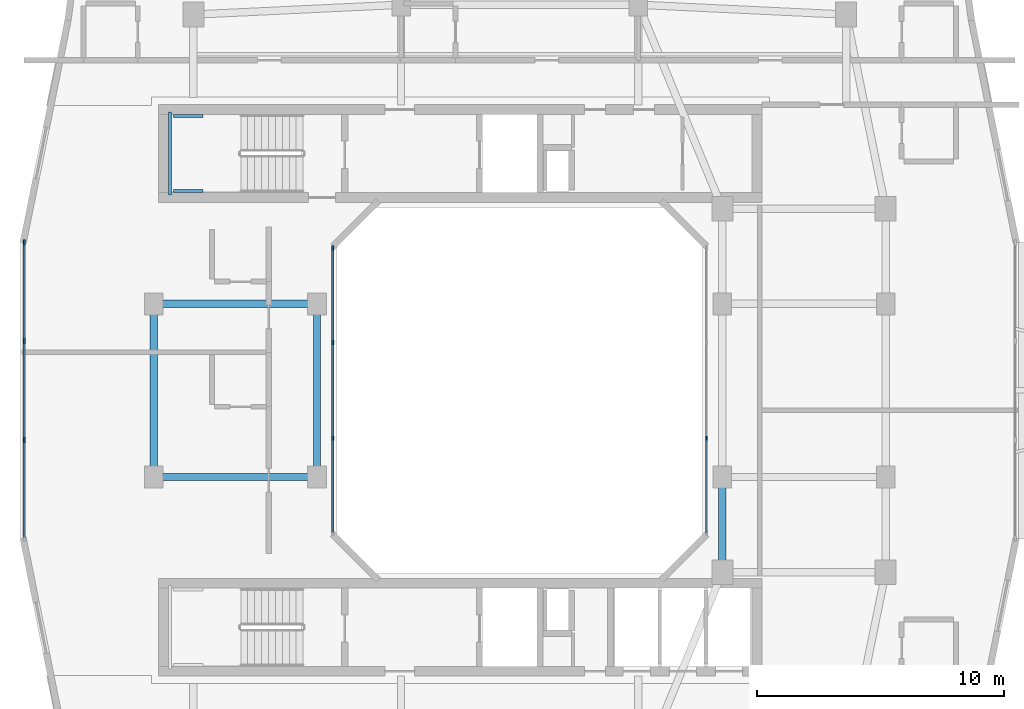
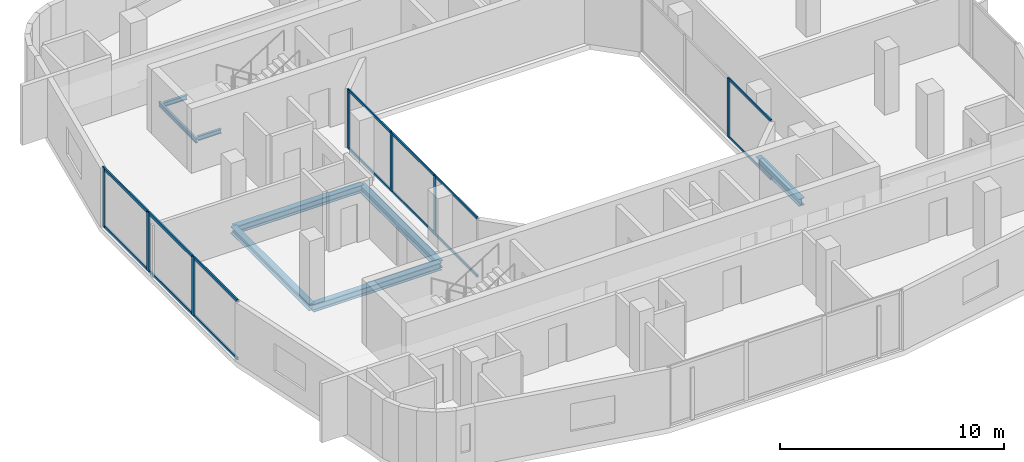
# One storey, part 3 of 14: 21 members, 8 beams, 3 elements without a shape of their own.
"""IFC4 building model written with IfcOpenShell, lengths in metres."""

from ifc_helpers import new_model, si_unit, derived_unit, direction, frame, origin, origin_2d, place, context, subcontext, project, spatial, rectangle, i_section, extrude, material, layer, layer_set, material_profile, profile_set, type_object, element, aggregate, save


model = new_model("IFC4")

# Units and contexts
model_context = context("Model", 3, precision=1e-05, world=origin(), true_north=direction((0.0, 1.0)))
body_context = subcontext(model_context, "Body", "Model", "MODEL_VIEW")
ifc_project = project(units=[si_unit("LENGTHUNIT", "METRE"), si_unit("AREAUNIT", "SQUARE_METRE"), si_unit("VOLUMEUNIT", "CUBIC_METRE"), si_unit("PLANEANGLEUNIT", "RADIAN"), si_unit("MASSUNIT", "GRAM", prefix="KILO"), derived_unit("THERMALTRANSMITTANCEUNIT", [(si_unit("POWERUNIT", "WATT"), 1), (si_unit("LENGTHUNIT", "METRE"), -2), (si_unit("THERMODYNAMICTEMPERATUREUNIT", "KELVIN"), -1)])], contexts=[model_context])

# Site, building, storey
site_placement = place(None, origin())
site = spatial("IfcSite", under=ifc_project, at=site_placement, CompositionType="ELEMENT")
building_placement = place(site_placement, origin())
building = spatial("IfcBuilding", under=site, at=building_placement, Name="Kivonza Crest Hotel", CompositionType="ELEMENT")
storey_placement = place(building_placement, frame((0.0, 0.0, 148.5)))
storey = spatial("IfcBuildingStorey", under=building, at=storey_placement, Name="L40", CompositionType="ELEMENT", Elevation=148.5)

# Beams
ifc_material_1 = material(Name="Steel S355", Category="steel")
ifc_material_profile_1 = material_profile(ifc_material_1, i_section(OverallWidth=0.300048828125, OverallDepth=0.360107421875, WebThickness=0.012451171875, FlangeThickness=0.0224609375, FilletRadius=0.027099609375, at=origin_2d()), Name="HEB 360")
ifc_profile_set_1 = profile_set([ifc_material_profile_1], Name="Steel S355")
beam_type_1 = type_object("IfcBeamType", Name="BM-HEB360", PredefinedType="SPANDREL", material=ifc_profile_set_1)
beam_1_placement = place(storey_placement, frame((6.199951171875, 28.5, -0.4599609375), z_axis=(0.0, -1.0, 0.0), x_axis=(1.0, 0.0, 0.0)))
element("IfcBeam", 1, at=beam_1_placement, inside=storey, type_object=beam_type_1, Name="Tower T1 L40 perimeter spandrel W2-W1", PredefinedType="SPANDREL", context=body_context, shape_type="SweptSolid", body=[
    extrude(i_section(OverallWidth=0.300048828125, OverallDepth=0.360107421875, WebThickness=0.012451171875, FlangeThickness=0.0224609375, FilletRadius=0.027099609375, at=origin_2d()), origin(), (0.0, 0.0, 1.0), 7.0),
])
ifc_material_profile_2 = material_profile(ifc_material_1, i_section(OverallWidth=0.300048828125, OverallDepth=0.39990234375, WebThickness=0.013427734375, FlangeThickness=0.02392578125, FilletRadius=0.027099609375, at=origin_2d()), Name="HEB 400")
ifc_profile_set_2 = profile_set([ifc_material_profile_2], Name="Steel S355")
beam_type_2 = type_object("IfcBeamType", Name="BM-HEB400", PredefinedType="BEAM", material=ifc_profile_set_2)
for number, where, z_axis, x_axis, name in (
    (2, (6.199951171875, 21.5, -0.47998046875), (1.0, 0.0, 0.0), (0.0, 1.0, 0.0), "Tower T1 L40 primary girder W1-WL1"),
    (3, (6.199951171875, 28.5, -0.47998046875), (1.0, 0.0, 0.0), (0.0, 1.0, 0.0), "Tower T1 L40 primary girder W2-WL2"),
):
    element("IfcBeam", number, at=place(storey_placement, frame(where, z_axis=z_axis, x_axis=x_axis)), inside=storey, type_object=beam_type_2, Name=name, PredefinedType="BEAM", context=body_context, shape_type="SweptSolid", body=[
        extrude(i_section(OverallWidth=0.300048828125, OverallDepth=0.39990234375, WebThickness=0.013427734375, FlangeThickness=0.02392578125, FilletRadius=0.027099609375, at=origin_2d()), origin(), (0.0, 0.0, 1.0), 6.60009765625),
    ])
beam_2_placement = place(storey_placement, frame((12.800048828125, 21.5, -0.47998046875), z_axis=(0.0, 1.0, 0.0), x_axis=(-1.0, 0.0, 0.0)))
element("IfcBeam", 4, at=beam_2_placement, inside=storey, type_object=beam_type_2, Name="Tower T1 L40 primary girder WL1-WL2", PredefinedType="BEAM", context=body_context, shape_type="SweptSolid", body=[
    extrude(i_section(OverallWidth=0.300048828125, OverallDepth=0.39990234375, WebThickness=0.013427734375, FlangeThickness=0.02392578125, FilletRadius=0.027099609375, at=origin_2d()), origin(), (0.0, 0.0, 1.0), 7.0),
])
beam_3_placement = place(storey_placement, frame((29.199951171875, 17.64990234375, -0.47998046875), z_axis=(0.0, 1.0, 0.0), x_axis=(-1.0, 0.0, 0.0)))
element("IfcBeam", 5, at=beam_3_placement, inside=storey, type_object=beam_type_2, Name="Tower T1 L40 primary girder TSE-WR1", PredefinedType="BEAM", context=body_context, shape_type="SweptSolid", body=[
    extrude(i_section(OverallWidth=0.300048828125, OverallDepth=0.39990234375, WebThickness=0.013427734375, FlangeThickness=0.02392578125, FilletRadius=0.027099609375, at=origin_2d()), origin(), (0.0, 0.0, 1.0), 3.85009765625),
])
ifc_material_profile_3 = material_profile(ifc_material_1, i_section(OverallWidth=0.1201171875, OverallDepth=0.239990234375, WebThickness=0.006103515625, FlangeThickness=0.009765625, FilletRadius=0.014892578125, at=origin_2d()), Name="IPE 240")
ifc_profile_set_3 = profile_set([ifc_material_profile_3], Name="Steel S355")
beam_type_3 = type_object("IfcBeamType", Name="BM-LLDG-240", PredefinedType="BEAM", material=ifc_profile_set_3)
beam_4_placement = place(storey_placement, frame((6.860107421875, 32.89990234375, 1.429931640625), z_axis=(0.0, 1.0, 0.0), x_axis=(-1.0, 0.0, 0.0)))
element("IfcBeam", 6, at=beam_4_placement, inside=storey, type_object=beam_type_3, Name="Stair ST-T1-N L40 West landing corbel", PredefinedType="BEAM", context=body_context, shape_type="SweptSolid", body=[
    extrude(i_section(OverallWidth=0.1201171875, OverallDepth=0.239990234375, WebThickness=0.006103515625, FlangeThickness=0.009765625, FilletRadius=0.014892578125, at=origin_2d()), origin(), (0.0, 0.0, 1.0), 3.360107421875),
])
for number, where, z_axis, x_axis, name in (
    (7, (6.989990234375, 33.06005859375, 1.429931640625), (1.0, 0.0, 0.0), (0.0, 1.0, 0.0), "Stair ST-T1-N L40 South landing corbel"),
    (8, (6.989990234375, 36.10009765625, 1.429931640625), (1.0, 0.0, 0.0), (0.0, 1.0, 0.0), "Stair ST-T1-N L40 North landing corbel"),
):
    element("IfcBeam", number, at=place(storey_placement, frame(where, z_axis=z_axis, x_axis=x_axis)), inside=storey, type_object=beam_type_3, Name=name, PredefinedType="BEAM", context=body_context, shape_type="SweptSolid", body=[
        extrude(i_section(OverallWidth=0.1201171875, OverallDepth=0.239990234375, WebThickness=0.006103515625, FlangeThickness=0.009765625, FilletRadius=0.014892578125, at=origin_2d()), origin(), (0.0, 0.0, 1.0), 1.2099609375),
    ])

# Curtain wall, member
ifc_material_2 = material(Name="Anodised bronze aluminium and low-E double glazing", Category="aluminium")
ifc_layer_1 = layer(ifc_material_2, 0.159912109375)
ifc_layer_set_1 = layer_set([ifc_layer_1], Name="Anodised bronze aluminium and low-E double glazing")
curtain_wall_type_1 = type_object("IfcCurtainWallType", Name="CW-SYS-5", PredefinedType="NOTDEFINED", material=ifc_layer_set_1)
curtain_wall_1_placement = place(storey_placement, origin())
curtain_wall_1 = element("IfcCurtainWall", 9, at=curtain_wall_1_placement, inside=storey, type_object=curtain_wall_type_1, Name="L40 unitised curtain wall CW-WELL-T1-L40-3", PredefinedType="NOTDEFINED")
ifc_material_3 = material(Name="Anodised bronze aluminium", Category="aluminium")
ifc_material_profile_4 = material_profile(ifc_material_3, rectangle(XDim=0.06494140625, YDim=0.179931640625, at=origin_2d()), Name="CW-M 65x180")
ifc_profile_set_4 = profile_set([ifc_material_profile_4], Name="Anodised bronze aluminium")
member_type_1 = type_object("IfcMemberType", Name="CW-MUL-65x180", PredefinedType="MULLION", material=ifc_profile_set_4)
member_1_placement = place(storey_placement, frame((28.56005859375, 23.066650390625, 0.0), z_axis=(0.0, 0.0, 1.0), x_axis=(-1.0, 0.0, 0.0)))
member_1 = element("IfcMember", 10, at=member_1_placement, type_object=member_type_1, Name="CW-5 mullion 2", PredefinedType="MULLION", context=body_context, shape_type="SweptSolid", body=[
    extrude(rectangle(XDim=0.06494140625, YDim=0.179931640625, at=origin_2d()), origin(), (0.0, 0.0, 1.0), 3.219970703125),
])

# Curtain wall, members
curtain_wall_2_placement = place(storey_placement, origin())
curtain_wall_2 = element("IfcCurtainWall", 11, at=curtain_wall_2_placement, inside=storey, type_object=curtain_wall_type_1, Name="L40 unitised curtain wall CW-WELL-T1-L40-7", PredefinedType="NOTDEFINED")
member_2_placement = place(storey_placement, frame((13.43994140625, 30.767578125, 0.0), z_axis=(0.0, 0.0, 1.0), x_axis=(1.0, 0.0, 0.0)))
member_2 = element("IfcMember", 12, at=member_2_placement, type_object=member_type_1, Name="CW-5 mullion 1", PredefinedType="MULLION", context=body_context, shape_type="SweptSolid", body=[
    extrude(rectangle(XDim=0.06494140625, YDim=0.179931640625, at=origin_2d()), origin(), (0.0, 0.0, 1.0), 3.219970703125),
])
member_3_placement = place(storey_placement, frame((13.43994140625, 26.933349609375, 0.0), z_axis=(0.0, 0.0, 1.0), x_axis=(1.0, 0.0, 0.0)))
member_3 = element("IfcMember", 13, at=member_3_placement, type_object=member_type_1, Name="CW-5 mullion 2", PredefinedType="MULLION", context=body_context, shape_type="SweptSolid", body=[
    extrude(rectangle(XDim=0.06494140625, YDim=0.179931640625, at=origin_2d()), origin(), (0.0, 0.0, 1.0), 3.219970703125),
])
member_4_placement = place(storey_placement, frame((13.43994140625, 23.066650390625, 0.0), z_axis=(0.0, 0.0, 1.0), x_axis=(1.0, 0.0, 0.0)))
member_4 = element("IfcMember", 14, at=member_4_placement, type_object=member_type_1, Name="CW-5 mullion 3", PredefinedType="MULLION", context=body_context, shape_type="SweptSolid", body=[
    extrude(rectangle(XDim=0.06494140625, YDim=0.179931640625, at=origin_2d()), origin(), (0.0, 0.0, 1.0), 3.219970703125),
])

ifc_layer_2 = layer(ifc_material_2, 0.179931640625)
ifc_layer_set_2 = layer_set([ifc_layer_2], Name="Anodised bronze aluminium and low-E double glazing")
curtain_wall_type_2 = type_object("IfcCurtainWallType", Name="CW-SYS-3", PredefinedType="NOTDEFINED", material=ifc_layer_set_2)
curtain_wall_3_placement = place(storey_placement, origin())
curtain_wall_3 = element("IfcCurtainWall", 15, at=curtain_wall_3_placement, inside=storey, type_object=curtain_wall_type_2, Name="L40 unitised curtain wall CW-T1-L40-35", PredefinedType="NOTDEFINED")
ifc_material_profile_5 = material_profile(ifc_material_3, rectangle(XDim=0.074951171875, YDim=0.219970703125, at=origin_2d()), Name="CW-M 75x220")
ifc_profile_set_5 = profile_set([ifc_material_profile_5], Name="Anodised bronze aluminium")
member_type_2 = type_object("IfcMemberType", Name="CW-MUL-75x220", PredefinedType="MULLION", material=ifc_profile_set_5)
member_5_placement = place(storey_placement, frame((0.9599609375, 30.982421875, 0.0), z_axis=(0.0, 0.0, 1.0), x_axis=(1.0, 0.0, 0.0)))
member_5 = element("IfcMember", 16, at=member_5_placement, type_object=member_type_2, Name="CW-3 mullion 1", PredefinedType="MULLION", context=body_context, shape_type="SweptSolid", body=[
    extrude(rectangle(XDim=0.074951171875, YDim=0.219970703125, at=origin_2d()), origin(), (0.0, 0.0, 1.0), 3.219970703125),
])
member_6_placement = place(storey_placement, frame((0.9599609375, 27.006591796875, 0.0), z_axis=(0.0, 0.0, 1.0), x_axis=(1.0, 0.0, 0.0)))
member_6 = element("IfcMember", 17, at=member_6_placement, type_object=member_type_2, Name="CW-3 mullion 2", PredefinedType="MULLION", context=body_context, shape_type="SweptSolid", body=[
    extrude(rectangle(XDim=0.074951171875, YDim=0.219970703125, at=origin_2d()), origin(), (0.0, 0.0, 1.0), 3.219970703125),
])
member_7_placement = place(storey_placement, frame((0.9599609375, 22.993408203125, 0.0), z_axis=(0.0, 0.0, 1.0), x_axis=(1.0, 0.0, 0.0)))
member_7 = element("IfcMember", 18, at=member_7_placement, type_object=member_type_2, Name="CW-3 mullion 3", PredefinedType="MULLION", context=body_context, shape_type="SweptSolid", body=[
    extrude(rectangle(XDim=0.074951171875, YDim=0.219970703125, at=origin_2d()), origin(), (0.0, 0.0, 1.0), 3.219970703125),
])

# Member
ifc_material_profile_6 = material_profile(ifc_material_3, rectangle(XDim=0.06494140625, YDim=0.139892578125, at=origin_2d()), Name="CW-T 65x140")
ifc_profile_set_6 = profile_set([ifc_material_profile_6], Name="Anodised bronze aluminium")
member_type_3 = type_object("IfcMemberType", Name="CW-TRN-65x140", PredefinedType="USERDEFINED", material=ifc_profile_set_6)
member_8_placement = place(storey_placement, frame((28.56005859375, 19.264892578125, 0.032470703125), z_axis=(0.0, 1.0, 0.0), x_axis=(-1.0, 0.0, 0.0)))
member_8 = element("IfcMember", 19, at=member_8_placement, type_object=member_type_3, Name="CW-5 transom 1.1", ObjectType="TRANSOM", PredefinedType="USERDEFINED", context=body_context, shape_type="SweptSolid", body=[
    extrude(rectangle(XDim=0.06494140625, YDim=0.139892578125, at=origin_2d()), origin(), (0.0, 0.0, 1.0), 3.769287109375),
])

member_9_placement = place(storey_placement, frame((28.56005859375, 19.264892578125, 3.1875), z_axis=(0.0, 1.0, 0.0), x_axis=(-1.0, 0.0, 0.0)))
member_9 = element("IfcMember", 20, at=member_9_placement, type_object=member_type_3, Name="CW-5 transom 1.2", ObjectType="TRANSOM", PredefinedType="USERDEFINED", context=body_context, shape_type="SweptSolid", body=[
    extrude(rectangle(XDim=0.06494140625, YDim=0.139892578125, at=origin_2d()), origin(), (0.0, 0.0, 1.0), 3.769287109375),
])

aggregate(curtain_wall_1, [member_1, member_8, member_9])

member_10_placement = place(storey_placement, frame((13.43994140625, 30.735107421875, 0.032470703125), z_axis=(0.0, -1.0, 0.0), x_axis=(1.0, 0.0, 0.0)))
member_10 = element("IfcMember", 21, at=member_10_placement, type_object=member_type_3, Name="CW-5 transom 1.1", ObjectType="TRANSOM", PredefinedType="USERDEFINED", context=body_context, shape_type="SweptSolid", body=[
    extrude(rectangle(XDim=0.06494140625, YDim=0.139892578125, at=origin_2d()), origin(), (0.0, 0.0, 1.0), 3.769287109375),
])

member_11_placement = place(storey_placement, frame((13.43994140625, 30.735107421875, 3.1875), z_axis=(0.0, -1.0, 0.0), x_axis=(1.0, 0.0, 0.0)))
member_11 = element("IfcMember", 22, at=member_11_placement, type_object=member_type_3, Name="CW-5 transom 1.2", ObjectType="TRANSOM", PredefinedType="USERDEFINED", context=body_context, shape_type="SweptSolid", body=[
    extrude(rectangle(XDim=0.06494140625, YDim=0.139892578125, at=origin_2d()), origin(), (0.0, 0.0, 1.0), 3.769287109375),
])

member_12_placement = place(storey_placement, frame((13.43994140625, 26.90087890625, 0.032470703125), z_axis=(0.0, -1.0, 0.0), x_axis=(1.0, 0.0, 0.0)))
member_12 = element("IfcMember", 23, at=member_12_placement, type_object=member_type_3, Name="CW-5 transom 2.1", ObjectType="TRANSOM", PredefinedType="USERDEFINED", context=body_context, shape_type="SweptSolid", body=[
    extrude(rectangle(XDim=0.06494140625, YDim=0.139892578125, at=origin_2d()), origin(), (0.0, 0.0, 1.0), 3.8017578125),
])

member_13_placement = place(storey_placement, frame((13.43994140625, 26.90087890625, 3.1875), z_axis=(0.0, -1.0, 0.0), x_axis=(1.0, 0.0, 0.0)))
member_13 = element("IfcMember", 24, at=member_13_placement, type_object=member_type_3, Name="CW-5 transom 2.2", ObjectType="TRANSOM", PredefinedType="USERDEFINED", context=body_context, shape_type="SweptSolid", body=[
    extrude(rectangle(XDim=0.06494140625, YDim=0.139892578125, at=origin_2d()), origin(), (0.0, 0.0, 1.0), 3.8017578125),
])

member_14_placement = place(storey_placement, frame((13.43994140625, 23.0341796875, 0.032470703125), z_axis=(0.0, -1.0, 0.0), x_axis=(1.0, 0.0, 0.0)))
member_14 = element("IfcMember", 25, at=member_14_placement, type_object=member_type_3, Name="CW-5 transom 3.1", ObjectType="TRANSOM", PredefinedType="USERDEFINED", context=body_context, shape_type="SweptSolid", body=[
    extrude(rectangle(XDim=0.06494140625, YDim=0.139892578125, at=origin_2d()), origin(), (0.0, 0.0, 1.0), 3.769287109375),
])

member_15_placement = place(storey_placement, frame((13.43994140625, 23.0341796875, 3.1875), z_axis=(0.0, -1.0, 0.0), x_axis=(1.0, 0.0, 0.0)))
member_15 = element("IfcMember", 26, at=member_15_placement, type_object=member_type_3, Name="CW-5 transom 3.2", ObjectType="TRANSOM", PredefinedType="USERDEFINED", context=body_context, shape_type="SweptSolid", body=[
    extrude(rectangle(XDim=0.06494140625, YDim=0.139892578125, at=origin_2d()), origin(), (0.0, 0.0, 1.0), 3.769287109375),
])

aggregate(curtain_wall_2, [member_2, member_3, member_4, member_10, member_11, member_12, member_13, member_14, member_15])

ifc_material_profile_7 = material_profile(ifc_material_3, rectangle(XDim=0.074951171875, YDim=0.159912109375, at=origin_2d()), Name="CW-T 75x160")
ifc_profile_set_7 = profile_set([ifc_material_profile_7], Name="Anodised bronze aluminium")
member_type_4 = type_object("IfcMemberType", Name="CW-TRN-75x160", PredefinedType="USERDEFINED", material=ifc_profile_set_7)
member_16_placement = place(storey_placement, frame((0.9599609375, 30.945068359375, 0.03759765625), z_axis=(0.0, -1.0, 0.0), x_axis=(1.0, 0.0, 0.0)))
member_16 = element("IfcMember", 27, at=member_16_placement, type_object=member_type_4, Name="CW-3 transom 1.1", ObjectType="TRANSOM", PredefinedType="USERDEFINED", context=body_context, shape_type="SweptSolid", body=[
    extrude(rectangle(XDim=0.074951171875, YDim=0.159912109375, at=origin_2d()), origin(), (0.0, 0.0, 1.0), 3.90087890625),
])

member_17_placement = place(storey_placement, frame((0.9599609375, 30.945068359375, 3.1826171875), z_axis=(0.0, -1.0, 0.0), x_axis=(1.0, 0.0, 0.0)))
member_17 = element("IfcMember", 28, at=member_17_placement, type_object=member_type_4, Name="CW-3 transom 1.2", ObjectType="TRANSOM", PredefinedType="USERDEFINED", context=body_context, shape_type="SweptSolid", body=[
    extrude(rectangle(XDim=0.074951171875, YDim=0.159912109375, at=origin_2d()), origin(), (0.0, 0.0, 1.0), 3.90087890625),
])

member_18_placement = place(storey_placement, frame((0.9599609375, 26.96923828125, 0.03759765625), z_axis=(0.0, -1.0, 0.0), x_axis=(1.0, 0.0, 0.0)))
member_18 = element("IfcMember", 29, at=member_18_placement, type_object=member_type_4, Name="CW-3 transom 2.1", ObjectType="TRANSOM", PredefinedType="USERDEFINED", context=body_context, shape_type="SweptSolid", body=[
    extrude(rectangle(XDim=0.074951171875, YDim=0.159912109375, at=origin_2d()), origin(), (0.0, 0.0, 1.0), 3.9384765625),
])

member_19_placement = place(storey_placement, frame((0.9599609375, 26.96923828125, 3.1826171875), z_axis=(0.0, -1.0, 0.0), x_axis=(1.0, 0.0, 0.0)))
member_19 = element("IfcMember", 30, at=member_19_placement, type_object=member_type_4, Name="CW-3 transom 2.2", ObjectType="TRANSOM", PredefinedType="USERDEFINED", context=body_context, shape_type="SweptSolid", body=[
    extrude(rectangle(XDim=0.074951171875, YDim=0.159912109375, at=origin_2d()), origin(), (0.0, 0.0, 1.0), 3.9384765625),
])

member_20_placement = place(storey_placement, frame((0.9599609375, 22.955810546875, 0.03759765625), z_axis=(0.0, -1.0, 0.0), x_axis=(1.0, 0.0, 0.0)))
member_20 = element("IfcMember", 31, at=member_20_placement, type_object=member_type_4, Name="CW-3 transom 3.1", ObjectType="TRANSOM", PredefinedType="USERDEFINED", context=body_context, shape_type="SweptSolid", body=[
    extrude(rectangle(XDim=0.074951171875, YDim=0.159912109375, at=origin_2d()), origin(), (0.0, 0.0, 1.0), 3.90087890625),
])

member_21_placement = place(storey_placement, frame((0.9599609375, 22.955810546875, 3.1826171875), z_axis=(0.0, -1.0, 0.0), x_axis=(1.0, 0.0, 0.0)))
member_21 = element("IfcMember", 32, at=member_21_placement, type_object=member_type_4, Name="CW-3 transom 3.2", ObjectType="TRANSOM", PredefinedType="USERDEFINED", context=body_context, shape_type="SweptSolid", body=[
    extrude(rectangle(XDim=0.074951171875, YDim=0.159912109375, at=origin_2d()), origin(), (0.0, 0.0, 1.0), 3.90087890625),
])

aggregate(curtain_wall_3, [member_5, member_6, member_7, member_16, member_17, member_18, member_19, member_20, member_21])

save(model, "model.ifc")
